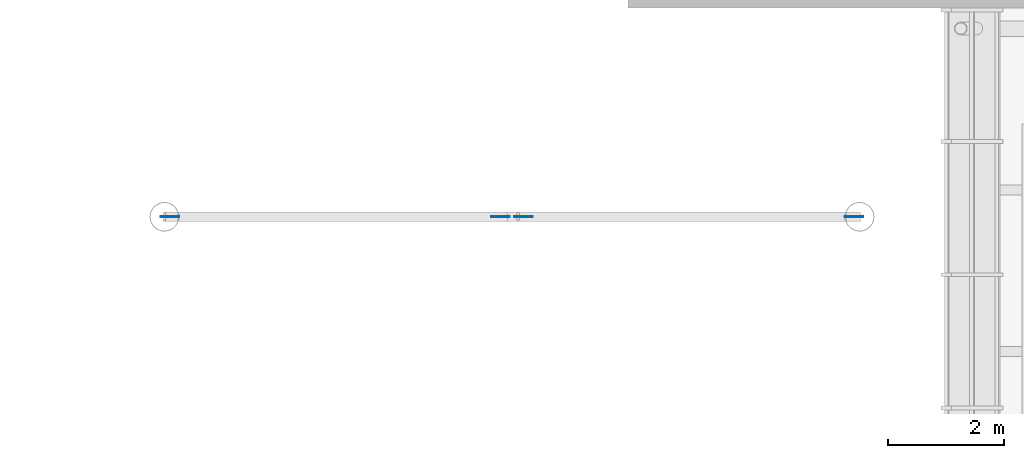
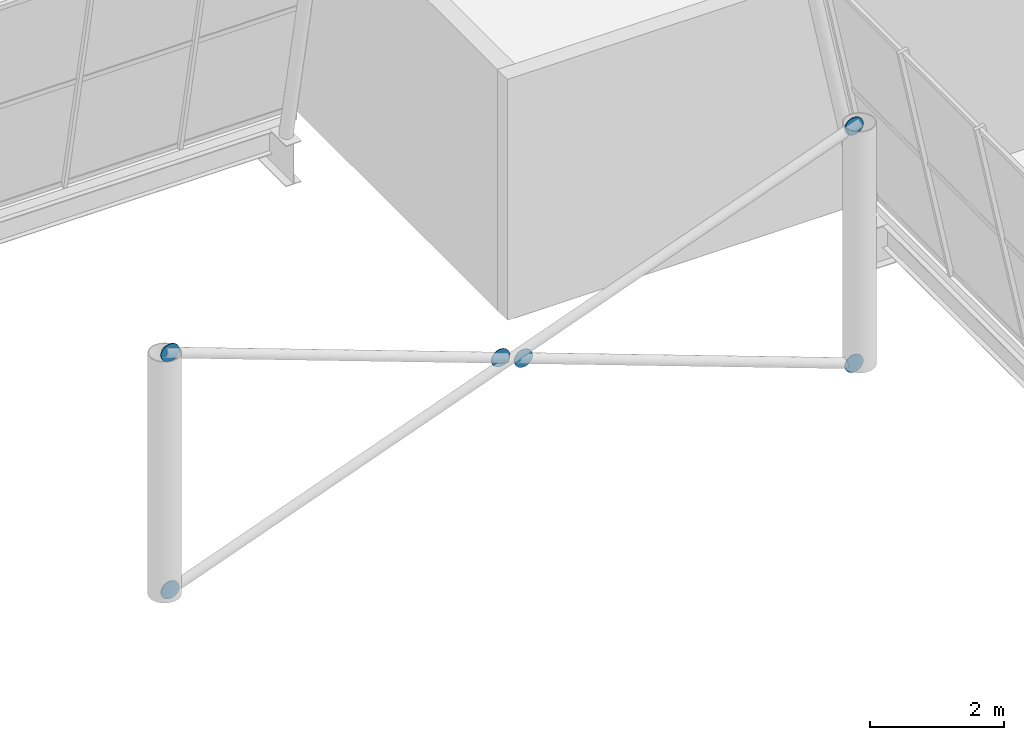
# One storey, part 44 of 58: 6 discrete accessories.
"""IFC4 building model written with IfcOpenShell, lengths in metres."""

import ifcopenshell
import ifcopenshell.guid

model = None  # the IFC model being written
_history = None  # IfcOwnerHistory: only IFC2X3 demands one
_inside = {}  # id of a spatial element -> (the spatial element, [elements in it])
_under = {}  # id of a project, library or spatial element -> (it, [spatial elements below it])
_declared = {}  # id of a project -> (the project, [libraries it declares])
_typed = {}  # id of a type object -> (the type object, [elements of that type])
_made_of = {}  # id of a material, layer set ... -> (it, [elements and type objects made of it])


def new_model(schema):
    """Start an empty IFC model of exactly this schema.

    Asked for "IFC4X3", IfcOpenShell would pick the latest addendum, in which some entities
    have other attributes; the version numbers below select the first issue.
    IFC2X3 requires an IfcOwnerHistory on every rooted entity: one is made here for all.
    """
    global model, _history
    if schema == "IFC4X3":
        model = ifcopenshell.file(schema_version=(4, 3, 0, 0))
    else:
        model = ifcopenshell.file(schema=schema)
    _inside.clear()
    _under.clear()
    _declared.clear()
    _typed.clear()
    _made_of.clear()
    _history = None
    if model.schema == "IFC2X3":
        org = make("IfcOrganization", Name="unknown")
        user = make(
            "IfcPersonAndOrganization",
            ThePerson=make("IfcPerson", FamilyName="unknown"),
            TheOrganization=org,
        )
        app = make(
            "IfcApplication",
            ApplicationDeveloper=org,
            Version="unknown",
            ApplicationFullName="unknown",
            ApplicationIdentifier="unknown",
        )
        _history = make(
            "IfcOwnerHistory",
            OwningUser=user,
            OwningApplication=app,
            ChangeAction="ADDED",
            CreationDate=0,
        )
    return model


def make(cls, **values):
    """One entity of the class cls with the attributes given. An attribute that is None is left unset."""
    return model.create_entity(
        cls, **{name: value for name, value in values.items() if value is not None}
    )


def rooted(cls, **values):
    """An entity with a GlobalId (a new one), such as an element, a storey or a relation."""
    return make(cls, GlobalId=ifcopenshell.guid.new(), OwnerHistory=_history, **values)


def si_unit(unit_type, name, prefix=None):
    """IfcSIUnit, for example si_unit("LENGTHUNIT", "METRE", prefix="MILLI")."""
    return make("IfcSIUnit", UnitType=unit_type, Prefix=prefix, Name=name)


def assignment(units):
    """IfcUnitAssignment: the units of a project."""
    return None if units is None else make("IfcUnitAssignment", Units=units)


def point(xyz):
    """IfcCartesianPoint."""
    return None if xyz is None else make("IfcCartesianPoint", Coordinates=xyz)


def direction(xyz):
    """IfcDirection."""
    return None if xyz is None else make("IfcDirection", DirectionRatios=xyz)


def frame(location, z_axis=None, x_axis=None):
    """IfcAxis2Placement3D, a coordinate frame: its origin and axes. An axis left out is left unset."""
    return make(
        "IfcAxis2Placement3D",
        Location=point(location),
        Axis=direction(z_axis),
        RefDirection=direction(x_axis),
    )


def frame_2d(location, x_axis=None):
    """IfcAxis2Placement2D, a coordinate frame in the plane: its origin and x axis."""
    return make(
        "IfcAxis2Placement2D", Location=point(location), RefDirection=direction(x_axis)
    )


def origin():
    """The frame at (0, 0, 0) with its axes left unset."""
    return frame((0.0, 0.0, 0.0))


def origin_2d():
    """The frame at (0, 0) in the plane with its x axis left unset."""
    return frame_2d((0.0, 0.0))


def place(relative_to, where):
    """IfcLocalPlacement: puts the frame where relative to a parent placement (None: the world)."""
    return make(
        "IfcLocalPlacement", PlacementRelTo=relative_to, RelativePlacement=where
    )


def context(
    kind, dimensions, precision=None, world=None, true_north=None, identifier=None
):
    """IfcGeometricRepresentationContext, for example the 3D "Model" context."""
    return make(
        "IfcGeometricRepresentationContext",
        ContextIdentifier=identifier,
        ContextType=kind,
        CoordinateSpaceDimension=dimensions,
        Precision=precision,
        WorldCoordinateSystem=world,
        TrueNorth=true_north,
    )


def subcontext(parent, identifier, kind, view, scale=None):
    """IfcGeometricRepresentationSubContext, for example "Body" below "Model"."""
    return make(
        "IfcGeometricRepresentationSubContext",
        ContextIdentifier=identifier,
        ContextType=kind,
        ParentContext=parent,
        TargetScale=scale,
        TargetView=view,
    )


def project(units=None, contexts=None):
    """IfcProject with its units and contexts."""
    return rooted(
        "IfcProject",
        Name="project",
        RepresentationContexts=contexts,
        UnitsInContext=assignment(units),
    )


def spatial(cls, under=None, at=None, **own):
    """A site, building, storey or space (cls), placed at a placement, below another one or the project."""
    s = rooted(cls, ObjectPlacement=at, **own)
    if under is not None:
        _under.setdefault(under.id(), (under, []))[1].append(s)
    return s


def profile(cls, at=None, kind="AREA", **sizes):
    """A parametric profile (cls). Its sizes go by their IFC names, for example OverallWidth=200.0."""
    return make(cls, ProfileType=kind, Position=at, **sizes)


def circle(**sizes):
    """IfcCircleProfileDef."""
    return profile("IfcCircleProfileDef", **sizes)


def extrude(swept, where, along, depth):
    """IfcExtrudedAreaSolid: the profile swept, set in the frame where, extruded along a direction by depth."""
    return make(
        "IfcExtrudedAreaSolid",
        SweptArea=swept,
        Position=where,
        ExtrudedDirection=direction(along),
        Depth=depth,
    )


def shape(context_of_items, identifier, shape_type, items):
    """IfcShapeRepresentation: the items that make up one representation, for example the "Body"."""
    return make(
        "IfcShapeRepresentation",
        ContextOfItems=context_of_items,
        RepresentationIdentifier=identifier,
        RepresentationType=shape_type,
        Items=items,
    )


def material(Name=None, Category=None):
    """IfcMaterial."""
    return make("IfcMaterial", Name=Name, Category=Category)


def layer(
    of_material, thickness, ventilated=None, Name=None, Category=None, Priority=None
):
    """IfcMaterialLayer: one layer of a wall or slab, of a material (None: an air gap)."""
    return make(
        "IfcMaterialLayer",
        Material=of_material,
        LayerThickness=thickness,
        IsVentilated=ventilated,
        Name=Name,
        Category=Category,
        Priority=Priority,
    )


def layer_set(layers, Name=None):
    """IfcMaterialLayerSet."""
    return make("IfcMaterialLayerSet", MaterialLayers=layers, LayerSetName=Name)


def made_of(thing, what):
    """Note that an element or type object is made of a material, layer set ...; save() writes the relation."""
    if what is not None:
        _made_of.setdefault(what.id(), (what, []))[1].append(thing)
    return thing


def type_object(cls, material=None, **own):
    """A type object (cls), such as IfcWallType, which elements share."""
    return made_of(rooted(cls, **own), material)


def element(
    cls,
    number,
    at=None,
    inside=None,
    cuts=None,
    type_object=None,
    material=None,
    context=None,
    identifier="Body",
    shape_type=None,
    held_by="IfcProductDefinitionShape",
    body=None,
    shapes=None,
    **own,
):
    """One element of the class cls, such as IfcWall. Its Tag is "e" and its number.

    at: its placement. inside: the storey or other place that contains it. cuts: it is an
    opening in that element (IfcRelVoidsElement). A single representation is given by context,
    identifier, shape_type and body (its items); several are given by shapes. held_by: the class
    of the entity that holds the representations. save() writes the other relations.
    """
    e = rooted(cls, Tag="e%d" % number, ObjectPlacement=at, **own)
    if body is not None:
        shapes = [shape(context, identifier, shape_type, body)]
    if shapes is not None:
        e.Representation = make(held_by, Representations=shapes)
    if inside is not None:
        _inside.setdefault(inside.id(), (inside, []))[1].append(e)
    if cuts is not None:
        rooted(
            "IfcRelVoidsElement", RelatingBuildingElement=cuts, RelatedOpeningElement=e
        )
    if type_object is not None:
        _typed.setdefault(type_object.id(), (type_object, []))[1].append(e)
    return made_of(e, material)


def aggregate(whole, parts):
    """IfcRelAggregates: a whole, such as a stair, and the parts it consists of."""
    return rooted("IfcRelAggregates", RelatingObject=whole, RelatedObjects=parts)


def save(model, path):
    """Write the relations noted so far, then the file.

    IfcRelAggregates (storeys below a building ...), IfcRelContainedInSpatialStructure (elements
    in a storey), IfcRelDefinesByType, IfcRelAssociatesMaterial and IfcRelDeclares: one each for
    every whole, place, type object, material and project.
    """
    for whole, parts in _under.values():
        aggregate(whole, parts)
    for where, things in _inside.values():
        rooted(
            "IfcRelContainedInSpatialStructure",
            RelatedElements=things,
            RelatingStructure=where,
        )
    for kind, things in _typed.values():
        rooted("IfcRelDefinesByType", RelatedObjects=things, RelatingType=kind)
    for what, things in _made_of.values():
        rooted("IfcRelAssociatesMaterial", RelatedObjects=things, RelatingMaterial=what)
    for by, libraries in _declared.values():
        rooted("IfcRelDeclares", RelatingContext=by, RelatedDefinitions=libraries)
    model.write(path)


model = new_model("IFC4")

# Units and contexts
model_context = context("Model", 3, precision=1e-05, world=origin(), true_north=direction((0.0, 1.0)))
body_context = subcontext(model_context, "Body", "Model", "MODEL_VIEW")
ifc_project = project(units=[si_unit("LENGTHUNIT", "METRE"), si_unit("AREAUNIT", "SQUARE_METRE"), si_unit("VOLUMEUNIT", "CUBIC_METRE"), si_unit("PLANEANGLEUNIT", "RADIAN"), si_unit("MASSUNIT", "GRAM", prefix="KILO")], contexts=[model_context])

# Site, building, storey
site_placement = place(None, origin())
site = spatial("IfcSite", under=ifc_project, at=site_placement, CompositionType="ELEMENT")
building_placement = place(site_placement, origin())
building = spatial("IfcBuilding", under=site, at=building_placement, Name="Windward Yard Aquatics Centre", CompositionType="ELEMENT")
storey_placement = place(building_placement, frame((0.0, 0.0, 13.800048828125)))
storey = spatial("IfcBuildingStorey", under=building, at=storey_placement, Name="L03", CompositionType="ELEMENT", Elevation=13.800048828125)

# Discrete accessories
ifc_material = material(Name="Steel S355", Category="steel")
ifc_layer = layer(ifc_material, 0.011962890625)
ifc_layer_set = layer_set([ifc_layer], Name="Gusset plate 320 mm disc 12 mm")
discrete_accessory_type = type_object("IfcDiscreteAccessoryType", Name="Gusset plate 320 mm disc 12 mm", PredefinedType="USERDEFINED", material=ifc_layer_set)
for number, where, z_axis, x_axis, name in (
    (1, (132.093994140625, 80.39404296875, 0.034423828125), (0.0, 1.0, 0.0), (-1.0, 0.0, 0.0), "Gusset plate"),
    (2, (143.906005859375, 80.39404296875, 4.365478515625), (0.0, 1.0, 0.0), (-1.0, 0.0, 0.0), "Gusset plate"),
    (3, (132.093994140625, 80.39404296875, 4.365478515625), (0.0, 1.0, 0.0), (-1.0, 0.0, 0.0), "Gusset plate"),
    (4, (137.802734375, 80.39404296875, 2.272216796875), (0.0, 1.0, 0.0), (-1.0, 0.0, 0.0), "Gusset plate"),
    (5, (138.197265625, 80.39404296875, 2.127685546875), (0.0, 1.0, 0.0), (-1.0, 0.0, 0.0), "Gusset plate"),
    (6, (143.906005859375, 80.39404296875, 0.034423828125), (0.0, 1.0, 0.0), (-1.0, 0.0, 0.0), "Gusset plate"),
):
    element("IfcDiscreteAccessory", number, at=place(storey_placement, frame(where, z_axis=z_axis, x_axis=x_axis)), inside=storey, type_object=discrete_accessory_type, Name=name, ObjectType="GUSSET PLATE", PredefinedType="USERDEFINED", context=body_context, shape_type="SweptSolid", body=[
        extrude(circle(Radius=0.159912109375, at=origin_2d()), origin(), (0.0, 0.0, 1.0), 0.011962890625),
    ])

save(model, "model.ifc")
